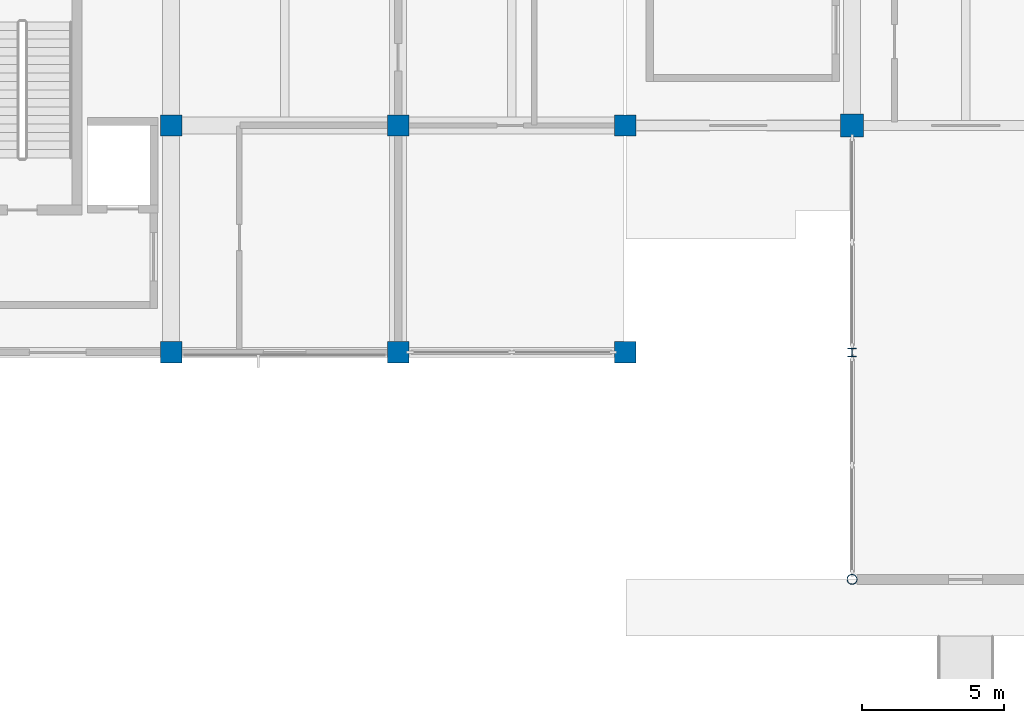
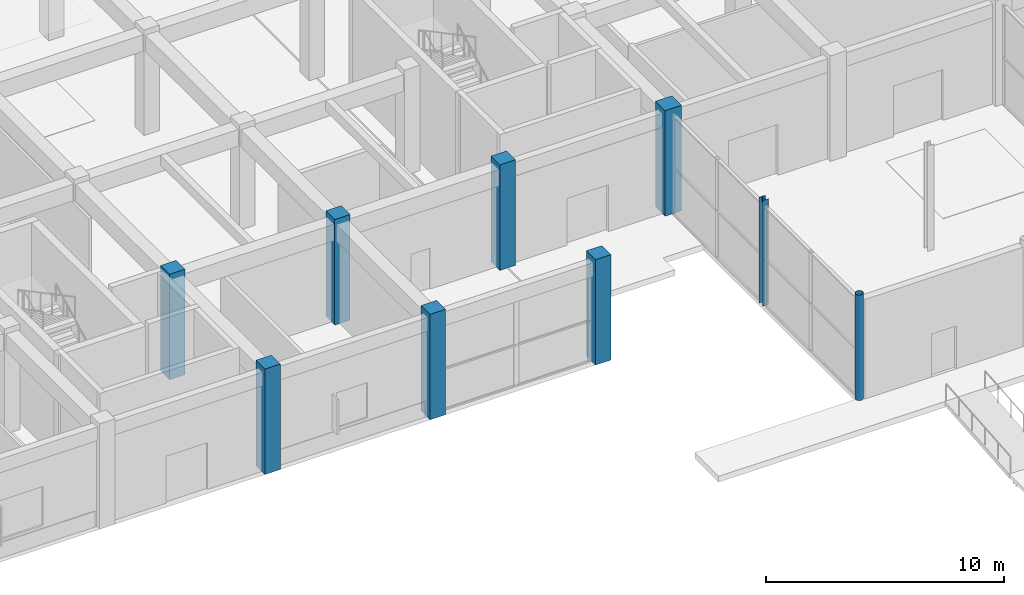
# One storey, part 2 of 86: 9 columns.
"""IFC4 building model written with IfcOpenShell, lengths in metres."""

from ifc_helpers import new_model, si_unit, direction, frame, origin, origin_2d, place, context, subcontext, project, spatial, rectangle, hollow_circle, i_section, extrude, material, material_profile, profile_set, type_object, element, save


model = new_model("IFC4")

# Units and contexts
model_context = context("Model", 3, precision=1e-05, world=origin(), true_north=direction((0.0, 1.0)))
body_context = subcontext(model_context, "Body", "Model", "MODEL_VIEW")
ifc_project = project(units=[si_unit("LENGTHUNIT", "METRE"), si_unit("AREAUNIT", "SQUARE_METRE"), si_unit("VOLUMEUNIT", "CUBIC_METRE"), si_unit("PLANEANGLEUNIT", "RADIAN"), si_unit("MASSUNIT", "GRAM", prefix="KILO")], contexts=[model_context])

# Site, building, storey
site_placement = place(None, origin())
site = spatial("IfcSite", under=ifc_project, at=site_placement, CompositionType="ELEMENT")
building_placement = place(site_placement, origin())
building = spatial("IfcBuilding", under=site, at=building_placement, Name="Kenh Van Central Station", CompositionType="ELEMENT")
storey_placement = place(building_placement, origin())
storey = spatial("IfcBuildingStorey", under=building, at=storey_placement, Name="L00", CompositionType="ELEMENT", Elevation=0.0)

# Columns
ifc_material_1 = material(Name="Concrete C40/50", Category="concrete")
ifc_material_profile_1 = material_profile(ifc_material_1, rectangle(XDim=0.75, YDim=0.75, at=origin_2d()), Name="RC 750x750")
ifc_profile_set_1 = profile_set([ifc_material_profile_1], Name="Concrete C40/50")
column_type_1 = type_object("IfcColumnType", Name="COL-RC-750x750", PredefinedType="COLUMN", material=ifc_profile_set_1)
for number, where, z_axis, x_axis, name in (
    (1, (32.0, 8.0, 0.0), (0.0, 0.0, 1.0), (1.0, 0.0, 0.0), "L00 column CW-032-008"),
    (2, (32.0, 16.0, 0.0), (0.0, 0.0, 1.0), (1.0, 0.0, 0.0), "L00 column CW-032-016"),
    (3, (40.0, 8.0, 0.0), (0.0, 0.0, 1.0), (1.0, 0.0, 0.0), "L00 column CW-040-008"),
    (4, (40.0, 16.0, 0.0), (0.0, 0.0, 1.0), (1.0, 0.0, 0.0), "L00 column CW-040-016"),
    (5, (48.0, 8.0, 0.0), (0.0, 0.0, 1.0), (1.0, 0.0, 0.0), "L00 column CW-048-008"),
    (6, (48.0, 16.0, 0.0), (0.0, 0.0, 1.0), (1.0, 0.0, 0.0), "L00 column CW-048-016"),
):
    element("IfcColumn", number, at=place(storey_placement, frame(where, z_axis=z_axis, x_axis=x_axis)), inside=storey, type_object=column_type_1, Name=name, PredefinedType="COLUMN", context=body_context, shape_type="SweptSolid", body=[
        extrude(rectangle(XDim=0.75, YDim=0.75, at=origin_2d()), origin(), (0.0, 0.0, 1.0), 5.39990234375),
    ])
ifc_material_profile_2 = material_profile(ifc_material_1, rectangle(XDim=0.800048828125, YDim=0.800048828125, at=origin_2d()), Name="RC 800x800")
ifc_profile_set_2 = profile_set([ifc_material_profile_2], Name="Concrete C40/50")
column_type_2 = type_object("IfcColumnType", Name="COL-RC-800x800", PredefinedType="COLUMN", material=ifc_profile_set_2)
column_1_placement = place(storey_placement, frame((56.0, 16.0, 0.0), z_axis=(0.0, 0.0, 1.0), x_axis=(1.0, 0.0, 0.0)))
element("IfcColumn", 7, at=column_1_placement, inside=storey, type_object=column_type_2, Name="L00 column CC-056-016", PredefinedType="COLUMN", context=body_context, shape_type="SweptSolid", body=[
    extrude(rectangle(XDim=0.800048828125, YDim=0.800048828125, at=origin_2d()), origin(), (0.0, 0.0, 1.0), 5.39990234375),
])
ifc_material_2 = material(Name="Steel S355", Category="steel")
ifc_material_profile_3 = material_profile(ifc_material_2, hollow_circle(Radius=0.177734375, WallThickness=0.012451171875, at=origin_2d()), Name="CHS 355.6x12.5")
ifc_profile_set_3 = profile_set([ifc_material_profile_3], Name="Steel S355")
column_type_3 = type_object("IfcColumnType", Name="COL-STL-CAN356", PredefinedType="COLUMN", material=ifc_profile_set_3)
column_2_placement = place(storey_placement, frame((56.0, 0.0, 0.0), z_axis=(0.0, 0.0, 1.0), x_axis=(1.0, 0.0, 0.0)))
element("IfcColumn", 8, at=column_2_placement, inside=storey, type_object=column_type_3, Name="L00 column CF-056-000", PredefinedType="COLUMN", context=body_context, shape_type="SweptSolid", body=[
    extrude(hollow_circle(Radius=0.177734375, WallThickness=0.012451171875, at=origin_2d()), origin(), (0.0, 0.0, 1.0), 5.39990234375),
])
ifc_material_profile_4 = material_profile(ifc_material_2, i_section(OverallWidth=0.300048828125, OverallDepth=0.300048828125, WebThickness=0.010986328125, FlangeThickness=0.01904296875, FilletRadius=0.027099609375, at=origin_2d()), Name="HEB 300")
ifc_profile_set_4 = profile_set([ifc_material_profile_4], Name="Steel S355")
column_type_4 = type_object("IfcColumnType", Name="COL-STL-HEB300", PredefinedType="COLUMN", material=ifc_profile_set_4)
column_3_placement = place(storey_placement, frame((56.0, 8.0, 0.0), z_axis=(0.0, 0.0, 1.0), x_axis=(1.0, 0.0, 0.0)))
element("IfcColumn", 9, at=column_3_placement, inside=storey, type_object=column_type_4, Name="L00 column CF-056-008", PredefinedType="COLUMN", context=body_context, shape_type="SweptSolid", body=[
    extrude(i_section(OverallWidth=0.300048828125, OverallDepth=0.300048828125, WebThickness=0.010986328125, FlangeThickness=0.01904296875, FilletRadius=0.027099609375, at=origin_2d()), origin(), (0.0, 0.0, 1.0), 5.39990234375),
])

save(model, "model.ifc")
